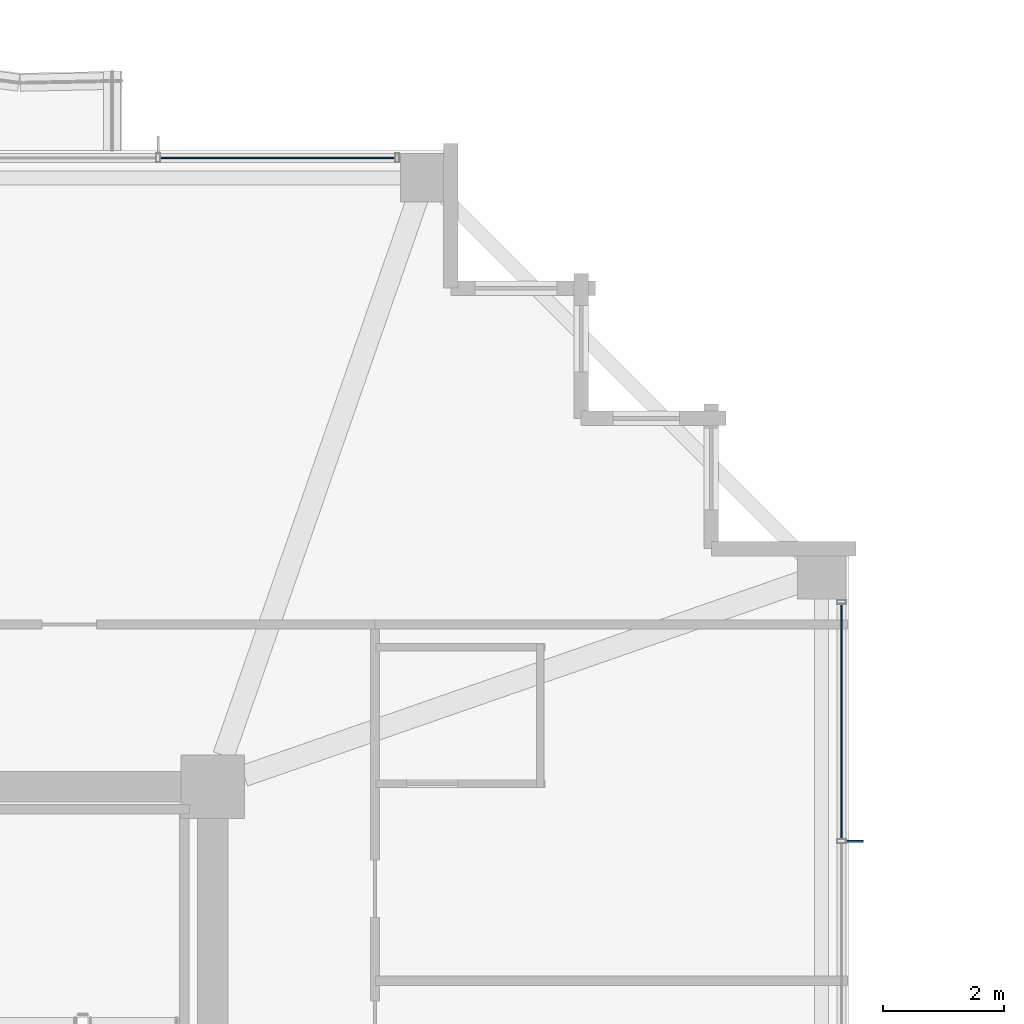
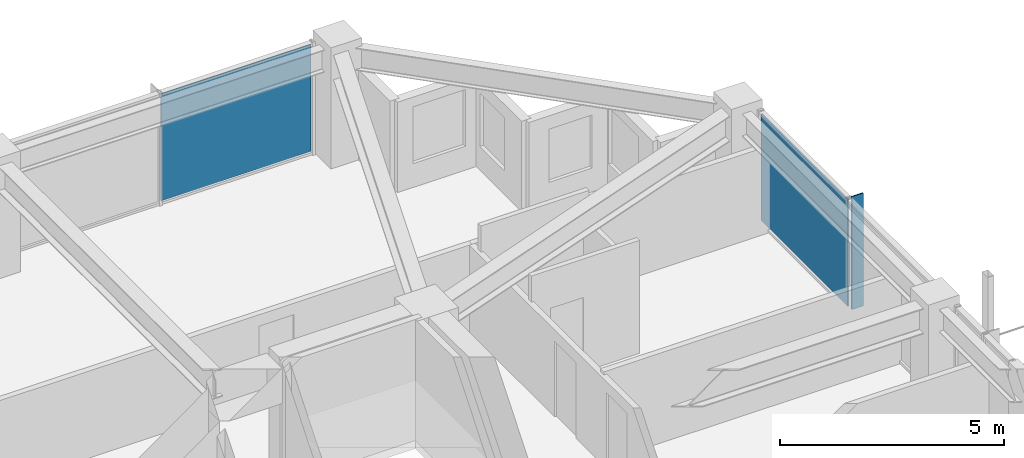
# One storey, part 31 of 38: 3 plates, 2 elements without a shape of their own.
"""IFC4 building model written with IfcOpenShell, lengths in metres."""

from ifc_helpers import new_model, si_unit, direction, frame, origin, origin_2d, place, context, subcontext, project, spatial, rectangle, extrude, material, layer, layer_set, type_object, element, aggregate, save


model = new_model("IFC4")

# Units and contexts
model_context = context("Model", 3, precision=1e-05, world=origin(), true_north=direction((0.0, 1.0)))
body_context = subcontext(model_context, "Body", "Model", "MODEL_VIEW")
ifc_project = project(units=[si_unit("LENGTHUNIT", "METRE"), si_unit("AREAUNIT", "SQUARE_METRE"), si_unit("VOLUMEUNIT", "CUBIC_METRE"), si_unit("PLANEANGLEUNIT", "RADIAN"), si_unit("MASSUNIT", "GRAM", prefix="KILO")], contexts=[model_context])

# Site, building, storey
site_placement = place(None, origin())
site = spatial("IfcSite", under=ifc_project, at=site_placement, CompositionType="ELEMENT")
building_placement = place(site_placement, origin())
building = spatial("IfcBuilding", under=site, at=building_placement, Name="Kolvaren Belvedere", CompositionType="ELEMENT")
storey_placement = place(building_placement, frame((0.0, 0.0, 206.39990234375)))
storey = spatial("IfcBuildingStorey", under=building, at=storey_placement, Name="L60", CompositionType="ELEMENT", Elevation=206.39990234375)

# Curtain wall, plate
ifc_material_1 = material(Name="Anodised pale-metal aluminium AA 6063-T6", Category="aluminium")
curtain_wall_type = type_object("IfcCurtainWallType", Name="CW-Z5-HIGH", PredefinedType="NOTDEFINED", material=ifc_material_1)
curtain_wall_1_placement = place(storey_placement, origin())
curtain_wall_1 = element("IfcCurtainWall", 1, at=curtain_wall_1_placement, inside=storey, type_object=curtain_wall_type, Name="L60 Unitised Curtain Wall FCW-L60-E1-B1", PredefinedType="NOTDEFINED")
ifc_material_2 = material(Name="Low-iron triple insulated glass", Category="glass")
ifc_layer_1 = layer(ifc_material_2, 0.028076171875)
ifc_layer_set_1 = layer_set([ifc_layer_1], Name="Low-iron triple insulated glass")
plate_type_1 = type_object("IfcPlateType", Name="CW-PNL-VIS28", PredefinedType="CURTAIN_PANEL", material=ifc_layer_set_1)
plate_1_placement = place(storey_placement, frame((20.280029296875, 10.972412109375, 0.080078125), z_axis=(0.0, 0.0, 1.0), x_axis=(0.0, -1.0, 0.0)))
plate_1 = element("IfcPlate", 2, at=plate_1_placement, type_object=plate_type_1, Name="FCW-L60-E1-B1 Vision Glazing Panel 1", PredefinedType="CURTAIN_PANEL", context=body_context, shape_type="SweptSolid", body=[
    extrude(rectangle(XDim=3.864990234375, YDim=0.028076171875, at=origin_2d()), origin(), (0.0, 0.0, 1.0), 2.919921875),
])
aggregate(curtain_wall_1, [plate_1])

curtain_wall_2_placement = place(storey_placement, origin())
curtain_wall_2 = element("IfcCurtainWall", 3, at=curtain_wall_2_placement, inside=storey, type_object=curtain_wall_type, Name="L60 Unitised Curtain Wall FCW-L60-N2-B2", PredefinedType="NOTDEFINED")
plate_2_placement = place(storey_placement, frame((10.972412109375, 20.280029296875, 0.080078125), z_axis=(0.0, 0.0, 1.0), x_axis=(1.0, 0.0, 0.0)))
plate_2 = element("IfcPlate", 4, at=plate_2_placement, type_object=plate_type_1, Name="FCW-L60-N2-B2 Vision Glazing Panel 2", PredefinedType="CURTAIN_PANEL", context=body_context, shape_type="SweptSolid", body=[
    extrude(rectangle(XDim=3.864990234375, YDim=0.028076171875, at=origin_2d()), origin(), (0.0, 0.0, 1.0), 2.919921875),
])
aggregate(curtain_wall_2, [plate_2])

# Plate
ifc_material_3 = material(Name="Anodised pale-metal aluminium AA 6063-T6", Category="aluminium")
ifc_layer_2 = layer(ifc_material_3, 0.030029296875)
ifc_layer_set_2 = layer_set([ifc_layer_2], Name="Anodised pale-metal aluminium AA 6063-T6")
plate_type_2 = type_object("IfcPlateType", Name="FIN-VERT-300", PredefinedType="USERDEFINED", material=ifc_layer_set_2)
plate_3_placement = place(storey_placement, frame((20.489990234375, 9.0, 0.0), z_axis=(0.0, 0.0, 1.0), x_axis=(1.0, 0.0, 0.0)))
element("IfcPlate", 5, at=plate_3_placement, inside=storey, type_object=plate_type_2, Name="L60 Pale-Metal Vertical Shading Fin FCW-L60-E1-B1-1", ObjectType="VERTICAL FIN", PredefinedType="USERDEFINED", context=body_context, shape_type="SweptSolid", body=[
    extrude(rectangle(XDim=0.300048828125, YDim=0.030029296875, at=origin_2d()), origin(), (0.0, 0.0, 1.0), 3.080078125),
])

save(model, "model.ifc")
